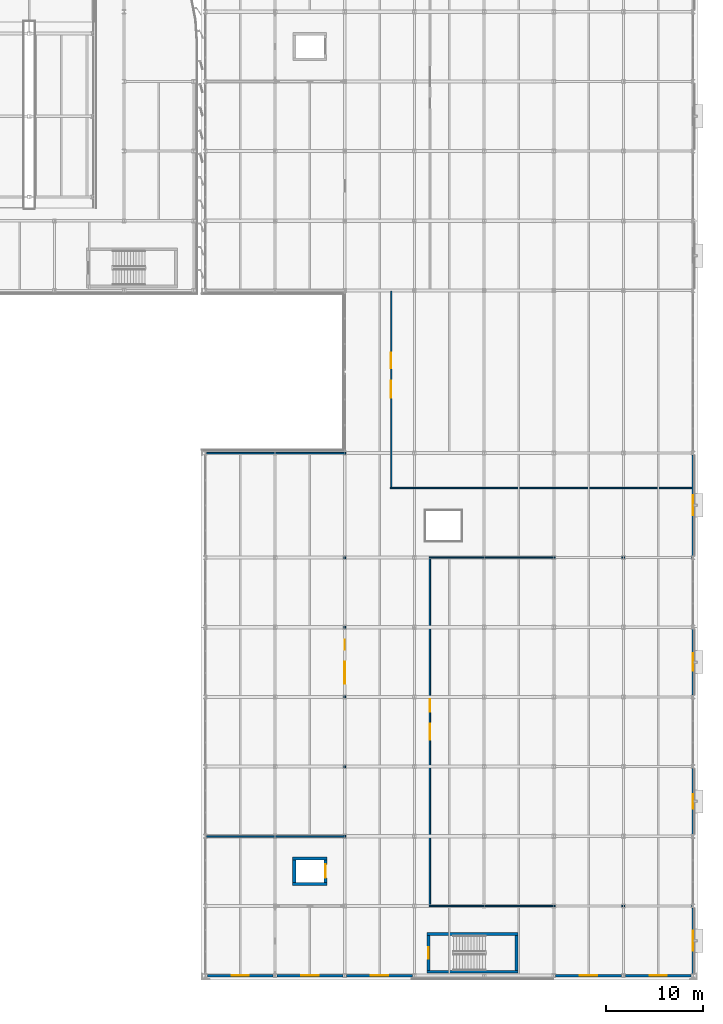
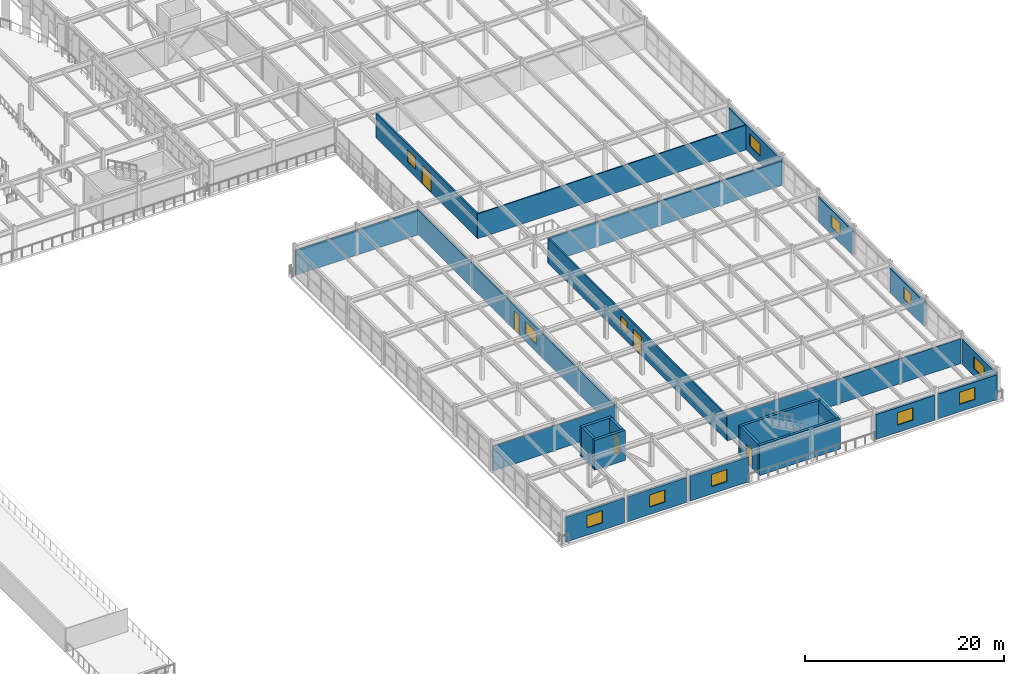
# One storey, part 67 of 93: 25 walls, 12 windows, 5 doors, 17 openings.
"""IFC4 building model written with IfcOpenShell, lengths in metres."""

from ifc_helpers import new_model, si_unit, direction, frame, frame_2d, origin, place, context, subcontext, project, spatial, rectangle, extrude, material, layer, layer_set, type_object, element, fill, save


model = new_model("IFC4")

# Units and contexts
model_context = context("Model", 3, precision=1e-05, world=origin(), true_north=direction((0.0, 1.0)))
body_context = subcontext(model_context, "Body", "Model", "MODEL_VIEW")
ifc_project = project(units=[si_unit("LENGTHUNIT", "METRE"), si_unit("AREAUNIT", "SQUARE_METRE"), si_unit("VOLUMEUNIT", "CUBIC_METRE"), si_unit("PLANEANGLEUNIT", "RADIAN"), si_unit("MASSUNIT", "GRAM", prefix="KILO")], contexts=[model_context])

# Site, building, storey
site_placement = place(None, origin())
site = spatial("IfcSite", under=ifc_project, at=site_placement, CompositionType="ELEMENT")
building_placement = place(site_placement, origin())
building = spatial("IfcBuilding", under=site, at=building_placement, Name="Vaelcorin Mobility Hub", CompositionType="ELEMENT")
storey_placement = place(building_placement, frame((0.0, 0.0, 5.39990234375)))
storey = spatial("IfcBuildingStorey", under=building, at=storey_placement, Name="L01", CompositionType="ELEMENT", Elevation=5.39990234375)

# Walls
ifc_material_1 = material(Name="Reinforced concrete f'c 45 MPa", Category="concrete")
ifc_layer_1 = layer(ifc_material_1, 0.300048828125)
ifc_layer_set_1 = layer_set([ifc_layer_1], Name="Reinforced concrete f'c 45 MPa")
wall_type_1 = type_object("IfcWallType", Name="WL-CORE-300", PredefinedType="SOLIDWALL", material=ifc_layer_set_1)
for number, where, z_axis, x_axis, name in (
    (1, (185.89990234375, 6.39990234375, 0.0), (0.0, 0.0, 1.0), (-1.0, 0.0, 0.0), "ST5 Fire Core Wall L01 South"),
    (2, (176.5, 10.300048828125, 0.0), (0.0, 0.0, 1.0), (1.0, 0.0, 0.0), "ST5 Fire Core Wall L01 North"),
):
    element("IfcWall", number, at=place(storey_placement, frame(where, z_axis=z_axis, x_axis=x_axis)), inside=storey, type_object=wall_type_1, Name=name, PredefinedType="SOLIDWALL", context=body_context, shape_type="SweptSolid", body=[
        extrude(rectangle(XDim=9.39990234375, YDim=0.300048828125, at=frame_2d((4.699951171875, 0.0))), origin(), (0.0, 0.0, 1.0), 3.670166015625),
    ])

# Wall, opening, door
wall_1_placement = place(storey_placement, frame((176.64990234375, 6.550048828125, 0.0), z_axis=(0.0, 0.0, 1.0), x_axis=(0.0, 1.0, 0.0)))
wall_1 = element("IfcWall", 3, at=wall_1_placement, inside=storey, type_object=wall_type_1, Name="ST5 Fire Core Wall L01 West", PredefinedType="SOLIDWALL", context=body_context, shape_type="SweptSolid", body=[
    extrude(rectangle(XDim=3.599853515625, YDim=0.300048828125, at=frame_2d((1.7998046875, 0.0))), origin(), (0.0, 0.0, 1.0), 3.670166015625),
])
opening_1_placement = place(wall_1_placement, frame((1.199951171875, 0.0, 0.0)))
opening_1 = element("IfcOpeningElement", 4, at=opening_1_placement, cuts=wall_1, Name="Opening SD01", PredefinedType="OPENING", context=body_context, shape_type="SweptSolid", body=[
    extrude(rectangle(XDim=1.199951171875, YDim=2.199951171875, at=frame_2d((0.60009765625, 1.10009765625))), frame((0.0, 0.159912109375, 0.0), z_axis=(0.0, -1.0, 0.0), x_axis=(1.0, 0.0, 0.0)), (0.0, 0.0, 1.0), 0.320068359375),
])
ifc_material_2 = material(Name="Hollow-metal insulated steel fire door", Category="steel")
door_type_1 = type_object("IfcDoorType", Name="DR-STAIR-90", OperationType="NOTDEFINED", PredefinedType="DOOR", material=ifc_material_2)
door_1_placement = place(opening_1_placement, origin())
door_1 = element("IfcDoor", 5, at=door_1_placement, inside=storey, type_object=door_type_1, Name="ST5 Protected Stair Door L01", OperationType="SINGLE_SWING_RIGHT", OverallHeight=2.199951171875, OverallWidth=1.199951171875, PredefinedType="DOOR", context=body_context, shape_type="SweptSolid", body=[
    extrude(rectangle(XDim=1.199951171875, YDim=2.199951171875, at=frame_2d((0.60009765625, 1.10009765625))), frame((0.0, 0.02490234375, 0.0), z_axis=(0.0, -1.0, 0.0), x_axis=(1.0, 0.0, 0.0)), (0.0, 0.0, 1.0), 0.050048828125),
])
fill(opening_1, door_1)

# Wall
wall_2_placement = place(storey_placement, frame((185.75, 10.14990234375, 0.0), z_axis=(0.0, 0.0, 1.0), x_axis=(0.0, -1.0, 0.0)))
element("IfcWall", 6, at=wall_2_placement, inside=storey, type_object=wall_type_1, Name="ST5 Fire Core Wall L01 East", PredefinedType="SOLIDWALL", context=body_context, shape_type="SweptSolid", body=[
    extrude(rectangle(XDim=3.599853515625, YDim=0.300048828125, at=frame_2d((1.7998046875, 0.0))), origin(), (0.0, 0.0, 1.0), 3.670166015625),
])

# Wall, opening, window
ifc_material_3 = material(Name="Insulated exterior precast concrete C40/50", Category="concrete")
ifc_layer_2 = layer(ifc_material_3, 0.260009765625)
ifc_layer_set_2 = layer_set([ifc_layer_2], Name="Insulated exterior precast concrete C40/50")
wall_type_2 = type_object("IfcWallType", Name="WL-EXT-260", PredefinedType="STANDARD", material=ifc_layer_set_2)
wall_3_placement = place(storey_placement, frame((204.0, 13.011962890625, 0.0), z_axis=(0.0, 0.0, 1.0), x_axis=(0.0, -1.0, 0.0)))
wall_3 = element("IfcWall", 7, at=wall_3_placement, inside=storey, type_object=wall_type_2, Name="L01 Exterior Wall V5-EW-L01-E-01", PredefinedType="STANDARD", context=body_context, shape_type="SweptSolid", body=[
    extrude(rectangle(XDim=6.823974609375, YDim=0.260009765625, at=frame_2d((3.412109375, 0.0))), origin(), (0.0, 0.0, 1.0), 3.043212890625),
])
opening_2_placement = place(wall_3_placement, frame((2.362060546875, 0.0, 0.89990234375)))
opening_2 = element("IfcOpeningElement", 8, at=opening_2_placement, cuts=wall_3, Name="Opening WN19", PredefinedType="OPENING", context=body_context, shape_type="SweptSolid", body=[
    extrude(rectangle(XDim=2.10009765625, YDim=1.5, at=frame_2d((1.050048828125, 0.75))), frame((0.0, 0.139892578125, 0.0), z_axis=(0.0, -1.0, 0.0), x_axis=(1.0, 0.0, 0.0)), (0.0, 0.0, 1.0), 0.280029296875),
])
ifc_material_4 = material(Name="Double-glazed low-E window unit", Category="glass")
window_type_1 = type_object("IfcWindowType", Name="WIN-2100X1500", PartitioningType="SINGLE_PANEL", PredefinedType="WINDOW", material=ifc_material_4)
window_1_placement = place(opening_2_placement, origin())
window_1 = element("IfcWindow", 9, at=window_1_placement, inside=storey, type_object=window_type_1, Name="L01 Window V5-EW-L01-E-01-WN", OverallHeight=1.5, OverallWidth=2.10009765625, PartitioningType="SINGLE_PANEL", PredefinedType="WINDOW", context=body_context, shape_type="SweptSolid", body=[
    extrude(rectangle(XDim=2.10009765625, YDim=1.5, at=frame_2d((1.050048828125, 0.75))), frame((0.0, 0.030029296875, 0.0), z_axis=(0.0, -1.0, 0.0), x_axis=(1.0, 0.0, 0.0)), (0.0, 0.0, 1.0), 0.06005859375),
])
fill(opening_2, window_1)

wall_4_placement = place(storey_placement, frame((204.0, 27.412109375, 0.0), z_axis=(0.0, 0.0, 1.0), x_axis=(0.0, -1.0, 0.0)))
wall_4 = element("IfcWall", 10, at=wall_4_placement, inside=storey, type_object=wall_type_2, Name="L01 Exterior Wall V5-EW-L01-E-03", PredefinedType="STANDARD", context=body_context, shape_type="SweptSolid", body=[
    extrude(rectangle(XDim=6.82421875, YDim=0.260009765625, at=frame_2d((3.412109375, 0.0))), origin(), (0.0, 0.0, 1.0), 3.043212890625),
])
opening_3_placement = place(wall_4_placement, frame((2.662109375, 0.0, 0.89990234375)))
opening_3 = element("IfcOpeningElement", 11, at=opening_3_placement, cuts=wall_4, Name="Opening WN13", PredefinedType="OPENING", context=body_context, shape_type="SweptSolid", body=[
    extrude(rectangle(XDim=1.5, YDim=1.5, at=frame_2d((0.75, 0.75))), frame((0.0, 0.139892578125, 0.0), z_axis=(0.0, -1.0, 0.0), x_axis=(1.0, 0.0, 0.0)), (0.0, 0.0, 1.0), 0.280029296875),
])
window_type_2 = type_object("IfcWindowType", Name="WIN-1500X1500", PartitioningType="SINGLE_PANEL", PredefinedType="WINDOW", material=ifc_material_4)
window_2_placement = place(opening_3_placement, origin())
window_2 = element("IfcWindow", 12, at=window_2_placement, inside=storey, type_object=window_type_2, Name="L01 Window V5-EW-L01-E-03-WN", OverallHeight=1.5, OverallWidth=1.5, PartitioningType="SINGLE_PANEL", PredefinedType="WINDOW", context=body_context, shape_type="SweptSolid", body=[
    extrude(rectangle(XDim=1.5, YDim=1.5, at=frame_2d((0.75, 0.75))), frame((0.0, 0.030029296875, 0.0), z_axis=(0.0, -1.0, 0.0), x_axis=(1.0, 0.0, 0.0)), (0.0, 0.0, 1.0), 0.06005859375),
])
fill(opening_3, window_2)

wall_5_placement = place(storey_placement, frame((204.0, 41.81201171875, 0.0), z_axis=(0.0, 0.0, 1.0), x_axis=(0.0, -1.0, 0.0)))
wall_5 = element("IfcWall", 13, at=wall_5_placement, inside=storey, type_object=wall_type_2, Name="L01 Exterior Wall V5-EW-L01-E-05", PredefinedType="STANDARD", context=body_context, shape_type="SweptSolid", body=[
    extrude(rectangle(XDim=6.823974609375, YDim=0.260009765625, at=frame_2d((3.412109375, 0.0))), origin(), (0.0, 0.0, 1.0), 3.043212890625),
])
opening_4_placement = place(wall_5_placement, frame((2.511962890625, 0.0, 0.89990234375)))
opening_4 = element("IfcOpeningElement", 14, at=opening_4_placement, cuts=wall_5, Name="Opening WN12", PredefinedType="OPENING", context=body_context, shape_type="SweptSolid", body=[
    extrude(rectangle(XDim=1.800048828125, YDim=1.5, at=frame_2d((0.89990234375, 0.75))), frame((0.0, 0.139892578125, 0.0), z_axis=(0.0, -1.0, 0.0), x_axis=(1.0, 0.0, 0.0)), (0.0, 0.0, 1.0), 0.280029296875),
])
window_type_3 = type_object("IfcWindowType", Name="WIN-1800X1500", PartitioningType="SINGLE_PANEL", PredefinedType="WINDOW", material=ifc_material_4)
window_3_placement = place(opening_4_placement, origin())
window_3 = element("IfcWindow", 15, at=window_3_placement, inside=storey, type_object=window_type_3, Name="L01 Window V5-EW-L01-E-05-WN", OverallHeight=1.5, OverallWidth=1.800048828125, PartitioningType="SINGLE_PANEL", PredefinedType="WINDOW", context=body_context, shape_type="SweptSolid", body=[
    extrude(rectangle(XDim=1.800048828125, YDim=1.5, at=frame_2d((0.89990234375, 0.75))), frame((0.0, 0.030029296875, 0.0), z_axis=(0.0, -1.0, 0.0), x_axis=(1.0, 0.0, 0.0)), (0.0, 0.0, 1.0), 0.06005859375),
])
fill(opening_4, window_3)

wall_6_placement = place(storey_placement, frame((204.0, 59.81201171875, 0.0), z_axis=(0.0, 0.0, 1.0), x_axis=(0.0, -1.0, 0.0)))
wall_6 = element("IfcWall", 16, at=wall_6_placement, inside=storey, type_object=wall_type_2, Name="L01 Exterior Wall V5-EW-L01-E-07", PredefinedType="STANDARD", context=body_context, shape_type="SweptSolid", body=[
    extrude(rectangle(XDim=10.424072265625, YDim=0.260009765625, at=frame_2d((5.2119140625, 0.0))), origin(), (0.0, 0.0, 1.0), 3.043212890625),
])
opening_5_placement = place(wall_6_placement, frame((4.162109375, 0.0, 0.89990234375)))
opening_5 = element("IfcOpeningElement", 17, at=opening_5_placement, cuts=wall_6, Name="Opening WN19", PredefinedType="OPENING", context=body_context, shape_type="SweptSolid", body=[
    extrude(rectangle(XDim=2.10009765625, YDim=1.5, at=frame_2d((1.050048828125, 0.75))), frame((0.0, 0.139892578125, 0.0), z_axis=(0.0, -1.0, 0.0), x_axis=(1.0, 0.0, 0.0)), (0.0, 0.0, 1.0), 0.280029296875),
])
window_4_placement = place(opening_5_placement, origin())
window_4 = element("IfcWindow", 18, at=window_4_placement, inside=storey, type_object=window_type_1, Name="L01 Window V5-EW-L01-E-07-WN", OverallHeight=1.5, OverallWidth=2.10009765625, PartitioningType="SINGLE_PANEL", PredefinedType="WINDOW", context=body_context, shape_type="SweptSolid", body=[
    extrude(rectangle(XDim=2.10009765625, YDim=1.5, at=frame_2d((1.050048828125, 0.75))), frame((0.0, 0.030029296875, 0.0), z_axis=(0.0, -1.0, 0.0), x_axis=(1.0, 0.0, 0.0)), (0.0, 0.0, 1.0), 0.06005859375),
])
fill(opening_5, window_4)

wall_7_placement = place(storey_placement, frame((160.60595703125, 6.0, 0.0), z_axis=(0.0, 0.0, 1.0), x_axis=(-1.0, 0.0, 0.0)))
wall_7 = element("IfcWall", 19, at=wall_7_placement, inside=storey, type_object=wall_type_2, Name="L01 Exterior Wall V5-EW-L01-S-01", PredefinedType="STANDARD", context=body_context, shape_type="SweptSolid", body=[
    extrude(rectangle(XDim=6.81201171875, YDim=0.260009765625, at=frame_2d((3.406005859375, 0.0))), origin(), (0.0, 0.0, 1.0), 3.043212890625),
])
opening_6_placement = place(wall_7_placement, frame((2.506103515625, 0.0, 0.89990234375)))
opening_6 = element("IfcOpeningElement", 20, at=opening_6_placement, cuts=wall_7, Name="Opening WN12", PredefinedType="OPENING", context=body_context, shape_type="SweptSolid", body=[
    extrude(rectangle(XDim=1.800048828125, YDim=1.5, at=frame_2d((0.89990234375, 0.75))), frame((0.0, 0.139892578125, 0.0), z_axis=(0.0, -1.0, 0.0), x_axis=(1.0, 0.0, 0.0)), (0.0, 0.0, 1.0), 0.280029296875),
])
window_5_placement = place(opening_6_placement, origin())
window_5 = element("IfcWindow", 21, at=window_5_placement, inside=storey, type_object=window_type_3, Name="L01 Window V5-EW-L01-S-01-WN", OverallHeight=1.5, OverallWidth=1.800048828125, PartitioningType="SINGLE_PANEL", PredefinedType="WINDOW", context=body_context, shape_type="SweptSolid", body=[
    extrude(rectangle(XDim=1.800048828125, YDim=1.5, at=frame_2d((0.89990234375, 0.75))), frame((0.0, 0.030029296875, 0.0), z_axis=(0.0, -1.0, 0.0), x_axis=(1.0, 0.0, 0.0)), (0.0, 0.0, 1.0), 0.06005859375),
])
fill(opening_6, window_5)

wall_8_placement = place(storey_placement, frame((167.805908203125, 6.0, 0.0), z_axis=(0.0, 0.0, 1.0), x_axis=(-1.0, 0.0, 0.0)))
wall_8 = element("IfcWall", 22, at=wall_8_placement, inside=storey, type_object=wall_type_2, Name="L01 Exterior Wall V5-EW-L01-S-02", PredefinedType="STANDARD", context=body_context, shape_type="SweptSolid", body=[
    extrude(rectangle(XDim=6.81201171875, YDim=0.260009765625, at=frame_2d((3.406005859375, 0.0))), origin(), (0.0, 0.0, 1.0), 3.043212890625),
])
opening_7_placement = place(wall_8_placement, frame((2.506103515625, 0.0, 0.89990234375)))
opening_7 = element("IfcOpeningElement", 23, at=opening_7_placement, cuts=wall_8, Name="Opening WN12", PredefinedType="OPENING", context=body_context, shape_type="SweptSolid", body=[
    extrude(rectangle(XDim=1.800048828125, YDim=1.5, at=frame_2d((0.89990234375, 0.75))), frame((0.0, 0.139892578125, 0.0), z_axis=(0.0, -1.0, 0.0), x_axis=(1.0, 0.0, 0.0)), (0.0, 0.0, 1.0), 0.280029296875),
])
window_6_placement = place(opening_7_placement, origin())
window_6 = element("IfcWindow", 24, at=window_6_placement, inside=storey, type_object=window_type_3, Name="L01 Window V5-EW-L01-S-02-WN", OverallHeight=1.5, OverallWidth=1.800048828125, PartitioningType="SINGLE_PANEL", PredefinedType="WINDOW", context=body_context, shape_type="SweptSolid", body=[
    extrude(rectangle(XDim=1.800048828125, YDim=1.5, at=frame_2d((0.89990234375, 0.75))), frame((0.0, 0.030029296875, 0.0), z_axis=(0.0, -1.0, 0.0), x_axis=(1.0, 0.0, 0.0)), (0.0, 0.0, 1.0), 0.06005859375),
])
fill(opening_7, window_6)

wall_9_placement = place(storey_placement, frame((175.006103515625, 6.0, 0.0), z_axis=(0.0, 0.0, 1.0), x_axis=(-1.0, 0.0, 0.0)))
wall_9 = element("IfcWall", 25, at=wall_9_placement, inside=storey, type_object=wall_type_2, Name="L01 Exterior Wall V5-EW-L01-S-03", PredefinedType="STANDARD", context=body_context, shape_type="SweptSolid", body=[
    extrude(rectangle(XDim=6.81201171875, YDim=0.260009765625, at=frame_2d((3.406005859375, 0.0))), origin(), (0.0, 0.0, 1.0), 3.043212890625),
])
opening_8_placement = place(wall_9_placement, frame((2.506103515625, 0.0, 0.89990234375)))
opening_8 = element("IfcOpeningElement", 26, at=opening_8_placement, cuts=wall_9, Name="Opening WN12", PredefinedType="OPENING", context=body_context, shape_type="SweptSolid", body=[
    extrude(rectangle(XDim=1.800048828125, YDim=1.5, at=frame_2d((0.89990234375, 0.75))), frame((0.0, 0.139892578125, 0.0), z_axis=(0.0, -1.0, 0.0), x_axis=(1.0, 0.0, 0.0)), (0.0, 0.0, 1.0), 0.280029296875),
])
window_7_placement = place(opening_8_placement, origin())
window_7 = element("IfcWindow", 27, at=window_7_placement, inside=storey, type_object=window_type_3, Name="L01 Window V5-EW-L01-S-03-WN", OverallHeight=1.5, OverallWidth=1.800048828125, PartitioningType="SINGLE_PANEL", PredefinedType="WINDOW", context=body_context, shape_type="SweptSolid", body=[
    extrude(rectangle(XDim=1.800048828125, YDim=1.5, at=frame_2d((0.89990234375, 0.75))), frame((0.0, 0.030029296875, 0.0), z_axis=(0.0, -1.0, 0.0), x_axis=(1.0, 0.0, 0.0)), (0.0, 0.0, 1.0), 0.06005859375),
])
fill(opening_8, window_7)

wall_10_placement = place(storey_placement, frame((196.60595703125, 6.0, 0.0), z_axis=(0.0, 0.0, 1.0), x_axis=(-1.0, 0.0, 0.0)))
wall_10 = element("IfcWall", 28, at=wall_10_placement, inside=storey, type_object=wall_type_2, Name="L01 Exterior Wall V5-EW-L01-S-06", PredefinedType="STANDARD", context=body_context, shape_type="SweptSolid", body=[
    extrude(rectangle(XDim=6.81201171875, YDim=0.260009765625, at=frame_2d((3.406005859375, 0.0))), origin(), (0.0, 0.0, 1.0), 3.043212890625),
])
opening_9_placement = place(wall_10_placement, frame((2.506103515625, 0.0, 0.89990234375)))
opening_9 = element("IfcOpeningElement", 29, at=opening_9_placement, cuts=wall_10, Name="Opening WN12", PredefinedType="OPENING", context=body_context, shape_type="SweptSolid", body=[
    extrude(rectangle(XDim=1.800048828125, YDim=1.5, at=frame_2d((0.89990234375, 0.75))), frame((0.0, 0.139892578125, 0.0), z_axis=(0.0, -1.0, 0.0), x_axis=(1.0, 0.0, 0.0)), (0.0, 0.0, 1.0), 0.280029296875),
])
window_8_placement = place(opening_9_placement, origin())
window_8 = element("IfcWindow", 30, at=window_8_placement, inside=storey, type_object=window_type_3, Name="L01 Window V5-EW-L01-S-06-WN", OverallHeight=1.5, OverallWidth=1.800048828125, PartitioningType="SINGLE_PANEL", PredefinedType="WINDOW", context=body_context, shape_type="SweptSolid", body=[
    extrude(rectangle(XDim=1.800048828125, YDim=1.5, at=frame_2d((0.89990234375, 0.75))), frame((0.0, 0.030029296875, 0.0), z_axis=(0.0, -1.0, 0.0), x_axis=(1.0, 0.0, 0.0)), (0.0, 0.0, 1.0), 0.06005859375),
])
fill(opening_9, window_8)

wall_11_placement = place(storey_placement, frame((203.805908203125, 6.0, 0.0), z_axis=(0.0, 0.0, 1.0), x_axis=(-1.0, 0.0, 0.0)))
wall_11 = element("IfcWall", 31, at=wall_11_placement, inside=storey, type_object=wall_type_2, Name="L01 Exterior Wall V5-EW-L01-S-07", PredefinedType="STANDARD", context=body_context, shape_type="SweptSolid", body=[
    extrude(rectangle(XDim=6.81201171875, YDim=0.260009765625, at=frame_2d((3.406005859375, 0.0))), origin(), (0.0, 0.0, 1.0), 3.043212890625),
])
opening_10_placement = place(wall_11_placement, frame((2.506103515625, 0.0, 0.89990234375)))
opening_10 = element("IfcOpeningElement", 32, at=opening_10_placement, cuts=wall_11, Name="Opening WN12", PredefinedType="OPENING", context=body_context, shape_type="SweptSolid", body=[
    extrude(rectangle(XDim=1.800048828125, YDim=1.5, at=frame_2d((0.89990234375, 0.75))), frame((0.0, 0.139892578125, 0.0), z_axis=(0.0, -1.0, 0.0), x_axis=(1.0, 0.0, 0.0)), (0.0, 0.0, 1.0), 0.280029296875),
])
window_9_placement = place(opening_10_placement, origin())
window_9 = element("IfcWindow", 33, at=window_9_placement, inside=storey, type_object=window_type_3, Name="L01 Window V5-EW-L01-S-07-WN", OverallHeight=1.5, OverallWidth=1.800048828125, PartitioningType="SINGLE_PANEL", PredefinedType="WINDOW", context=body_context, shape_type="SweptSolid", body=[
    extrude(rectangle(XDim=1.800048828125, YDim=1.5, at=frame_2d((0.89990234375, 0.75))), frame((0.0, 0.030029296875, 0.0), z_axis=(0.0, -1.0, 0.0), x_axis=(1.0, 0.0, 0.0)), (0.0, 0.0, 1.0), 0.06005859375),
])
fill(opening_10, window_9)

# Walls
ifc_material_5 = material(Name="Fire-rated acoustic steel-stud gypsum board", Category="steel")
ifc_layer_3 = layer(ifc_material_5, 0.125)
ifc_layer_set_3 = layer_set([ifc_layer_3], Name="Fire-rated acoustic steel-stud gypsum board")
wall_type_3 = type_object("IfcWallType", Name="WL-PART-125", PredefinedType="PARTITIONING", material=ifc_layer_set_3)
wall_12_placement = place(storey_placement, frame((203.867919921875, 13.199951171875, 0.0), z_axis=(0.0, 0.0, 1.0), x_axis=(-1.0, 0.0, 0.0)))
element("IfcWall", 34, at=wall_12_placement, inside=storey, type_object=wall_type_3, Name="Hub Operations Office Partition South", PredefinedType="PARTITIONING", context=body_context, shape_type="SweptSolid", body=[
    extrude(rectangle(XDim=27.14794921875, YDim=0.125, at=frame_2d((13.573974609375, 0.0))), origin(), (0.0, 0.0, 1.0), 3.0380859375),
])
ifc_layer_4 = layer(ifc_material_5, 0.1298828125)
ifc_layer_set_4 = layer_set([ifc_layer_4], Name="Fire-rated acoustic steel-stud gypsum board")
wall_type_4 = type_object("IfcWallType", Name="WL-PART-130", PredefinedType="PARTITIONING", material=ifc_layer_set_4)
wall_13_placement = place(storey_placement, frame((176.719970703125, 49.199951171875, 0.0), z_axis=(0.0, 0.0, 1.0), x_axis=(1.0, 0.0, 0.0)))
element("IfcWall", 35, at=wall_13_placement, inside=storey, type_object=wall_type_4, Name="Hub Operations Office Partition North", PredefinedType="PARTITIONING", context=body_context, shape_type="SweptSolid", body=[
    extrude(rectangle(XDim=27.14794921875, YDim=0.1298828125, at=frame_2d((13.573974609375, 0.0))), origin(), (0.0, 0.0, 1.0), 3.0380859375),
])
ifc_layer_5 = layer(ifc_material_5, 0.135009765625)
ifc_layer_set_5 = layer_set([ifc_layer_5], Name="Fire-rated acoustic steel-stud gypsum board")
wall_type_5 = type_object("IfcWallType", Name="WL-PART-135", PredefinedType="PARTITIONING", material=ifc_layer_set_5)
wall_14_placement = place(storey_placement, frame((203.867919921875, 56.39990234375, 0.0), z_axis=(0.0, 0.0, 1.0), x_axis=(-1.0, 0.0, 0.0)))
element("IfcWall", 36, at=wall_14_placement, inside=storey, type_object=wall_type_5, Name="Bus Operator Rest and Canteen Partition South", PredefinedType="PARTITIONING", context=body_context, shape_type="SweptSolid", body=[
    extrude(rectangle(XDim=31.14794921875, YDim=0.135009765625, at=frame_2d((15.573974609375, 0.0))), origin(), (0.0, 0.0, 1.0), 3.0380859375),
])
ifc_layer_6 = layer(ifc_material_5, 0.14990234375)
ifc_layer_set_6 = layer_set([ifc_layer_6], Name="Fire-rated acoustic steel-stud gypsum board")
wall_type_6 = type_object("IfcWallType", Name="WL-PART-150", PredefinedType="PARTITIONING", material=ifc_layer_set_6)
wall_15_placement = place(storey_placement, frame((168.080078125, 20.39990234375, 0.0), z_axis=(0.0, 0.0, 1.0), x_axis=(-1.0, 0.0, 0.0)))
element("IfcWall", 37, at=wall_15_placement, inside=storey, type_object=wall_type_6, Name="Transit Staff Training Room Partition South", PredefinedType="PARTITIONING", context=body_context, shape_type="SweptSolid", body=[
    extrude(rectangle(XDim=14.34814453125, YDim=0.14990234375, at=frame_2d((7.174072265625, 0.0))), origin(), (0.0, 0.0, 1.0), 3.0380859375),
])
ifc_layer_7 = layer(ifc_material_5, 0.155029296875)
ifc_layer_set_7 = layer_set([ifc_layer_7], Name="Fire-rated acoustic steel-stud gypsum board")
wall_type_7 = type_object("IfcWallType", Name="WL-PART-155", PredefinedType="PARTITIONING", material=ifc_layer_set_7)
wall_16_placement = place(storey_placement, frame((153.73193359375, 60.0, 0.0), z_axis=(0.0, 0.0, 1.0), x_axis=(1.0, 0.0, 0.0)))
element("IfcWall", 38, at=wall_16_placement, inside=storey, type_object=wall_type_7, Name="Transit Staff Training Room Partition North", PredefinedType="PARTITIONING", context=body_context, shape_type="SweptSolid", body=[
    extrude(rectangle(XDim=14.34814453125, YDim=0.155029296875, at=frame_2d((7.174072265625, 0.0))), origin(), (0.0, 0.0, 1.0), 3.0380859375),
])

# Wall, openings, door, window
ifc_layer_8 = layer(ifc_material_5, 0.169921875)
ifc_layer_set_8 = layer_set([ifc_layer_8], Name="Fire-rated acoustic steel-stud gypsum board")
wall_type_8 = type_object("IfcWallType", Name="WL-PART-170", PredefinedType="PARTITIONING", material=ifc_layer_set_8)
wall_17_placement = place(storey_placement, frame((176.800048828125, 13.263916015625, 0.0), z_axis=(0.0, 0.0, 1.0), x_axis=(0.0, 1.0, 0.0)))
wall_17 = element("IfcWall", 39, at=wall_17_placement, inside=storey, type_object=wall_type_8, Name="Hub Operations Office Partition West", PredefinedType="PARTITIONING", context=body_context, shape_type="SweptSolid", body=[
    extrude(rectangle(XDim=35.869140625, YDim=0.169921875, at=frame_2d((17.9345703125, 0.0))), origin(), (0.0, 0.0, 1.0), 3.0380859375),
])
opening_11_placement = place(wall_17_placement, frame((17.10400390625, 0.0, 0.0)))
opening_11 = element("IfcOpeningElement", 40, at=opening_11_placement, cuts=wall_17, Name="Opening ID41", PredefinedType="OPENING", context=body_context, shape_type="SweptSolid", body=[
    extrude(rectangle(XDim=1.659912109375, YDim=2.280029296875, at=frame_2d((0.830078125, 1.14013671875))), frame((0.0, 0.094970703125, 0.0), z_axis=(0.0, -1.0, 0.0), x_axis=(1.0, 0.0, 0.0)), (0.0, 0.0, 1.0), 0.18994140625),
])
opening_12_placement = place(wall_17_placement, frame((20.013916015625, 0.0, 0.949951171875)))
opening_12 = element("IfcOpeningElement", 41, at=opening_12_placement, cuts=wall_17, Name="Opening IW-WN13", PredefinedType="OPENING", context=body_context, shape_type="SweptSolid", body=[
    extrude(rectangle(XDim=1.300048828125, YDim=1.449951171875, at=frame_2d((0.64990234375, 0.72509765625))), frame((0.0, 0.094970703125, 0.0), z_axis=(0.0, -1.0, 0.0), x_axis=(1.0, 0.0, 0.0)), (0.0, 0.0, 1.0), 0.18994140625),
])
door_type_2 = type_object("IfcDoorType", Name="DR-INT-41", OperationType="NOTDEFINED", PredefinedType="DOOR", material=ifc_material_2)
door_2_placement = place(opening_11_placement, origin())
door_2 = element("IfcDoor", 42, at=door_2_placement, inside=storey, type_object=door_type_2, Name="Hub Operations Office Door", OperationType="SINGLE_SWING_LEFT", OverallHeight=2.280029296875, OverallWidth=1.659912109375, PredefinedType="DOOR", context=body_context, shape_type="SweptSolid", body=[
    extrude(rectangle(XDim=1.659912109375, YDim=2.280029296875, at=frame_2d((0.830078125, 1.14013671875))), frame((0.0, 0.02490234375, 0.0), z_axis=(0.0, -1.0, 0.0), x_axis=(1.0, 0.0, 0.0)), (0.0, 0.0, 1.0), 0.050048828125),
])
fill(opening_11, door_2)
ifc_material_6 = material(Name="Acoustic laminated fire-rated interior glazing", Category="glass")
window_type_4 = type_object("IfcWindowType", Name="WIN-INT-13", PartitioningType="SINGLE_PANEL", PredefinedType="WINDOW", material=ifc_material_6)
window_10_placement = place(opening_12_placement, origin())
window_10 = element("IfcWindow", 43, at=window_10_placement, inside=storey, type_object=window_type_4, Name="Hub Operations Office Observation Glazing", OverallHeight=1.449951171875, OverallWidth=1.300048828125, PartitioningType="SINGLE_PANEL", PredefinedType="WINDOW", context=body_context, shape_type="SweptSolid", body=[
    extrude(rectangle(XDim=1.300048828125, YDim=1.449951171875, at=frame_2d((0.64990234375, 0.72509765625))), frame((0.0, 0.030029296875, 0.0), z_axis=(0.0, -1.0, 0.0), x_axis=(1.0, 0.0, 0.0)), (0.0, 0.0, 1.0), 0.06005859375),
])
fill(opening_12, window_10)

ifc_layer_9 = layer(ifc_material_5, 0.177978515625)
ifc_layer_set_9 = layer_set([ifc_layer_9], Name="Fire-rated acoustic steel-stud gypsum board")
wall_type_9 = type_object("IfcWallType", Name="WL-PART-178", PredefinedType="PARTITIONING", material=ifc_layer_set_9)
wall_18_placement = place(storey_placement, frame((172.800048828125, 56.469970703125, 0.0), z_axis=(0.0, 0.0, 1.0), x_axis=(0.0, 1.0, 0.0)))
wall_18 = element("IfcWall", 44, at=wall_18_placement, inside=storey, type_object=wall_type_9, Name="Bus Operator Rest and Canteen Partition West", PredefinedType="PARTITIONING", context=body_context, shape_type="SweptSolid", body=[
    extrude(rectangle(XDim=20.258056640625, YDim=0.177978515625, at=frame_2d((10.12890625, 0.0))), origin(), (0.0, 0.0, 1.0), 3.0380859375),
])
opening_13_placement = place(wall_18_placement, frame((9.22900390625, 0.0, 0.0)))
opening_13 = element("IfcOpeningElement", 45, at=opening_13_placement, cuts=wall_18, Name="Opening ID42", PredefinedType="OPENING", context=body_context, shape_type="SweptSolid", body=[
    extrude(rectangle(XDim=1.800048828125, YDim=2.280029296875, at=frame_2d((0.89990234375, 1.14013671875))), frame((0.0, 0.098876953125, 0.0), z_axis=(0.0, -1.0, 0.0), x_axis=(1.0, 0.0, 0.0)), (0.0, 0.0, 1.0), 0.197998046875),
])
opening_14_placement = place(wall_18_placement, frame((12.279052734375, 0.0, 0.949951171875)))
opening_14 = element("IfcOpeningElement", 46, at=opening_14_placement, cuts=wall_18, Name="Opening IW-WN14", PredefinedType="OPENING", context=body_context, shape_type="SweptSolid", body=[
    extrude(rectangle(XDim=1.60009765625, YDim=1.449951171875, at=frame_2d((0.800048828125, 0.72509765625))), frame((0.0, 0.098876953125, 0.0), z_axis=(0.0, -1.0, 0.0), x_axis=(1.0, 0.0, 0.0)), (0.0, 0.0, 1.0), 0.197998046875),
])
door_type_3 = type_object("IfcDoorType", Name="DR-INT-42", OperationType="NOTDEFINED", PredefinedType="DOOR", material=ifc_material_2)
door_3_placement = place(opening_13_placement, origin())
door_3 = element("IfcDoor", 47, at=door_3_placement, inside=storey, type_object=door_type_3, Name="Bus Operator Rest and Canteen Door", OperationType="SINGLE_SWING_RIGHT", OverallHeight=2.280029296875, OverallWidth=1.800048828125, PredefinedType="DOOR", context=body_context, shape_type="SweptSolid", body=[
    extrude(rectangle(XDim=1.800048828125, YDim=2.280029296875, at=frame_2d((0.89990234375, 1.14013671875))), frame((0.0, 0.02490234375, 0.0), z_axis=(0.0, -1.0, 0.0), x_axis=(1.0, 0.0, 0.0)), (0.0, 0.0, 1.0), 0.050048828125),
])
fill(opening_13, door_3)
window_type_5 = type_object("IfcWindowType", Name="WIN-INT-14", PartitioningType="SINGLE_PANEL", PredefinedType="WINDOW", material=ifc_material_6)
window_11_placement = place(opening_14_placement, origin())
window_11 = element("IfcWindow", 48, at=window_11_placement, inside=storey, type_object=window_type_5, Name="Bus Operator Rest and Canteen Observation Glazing", OverallHeight=1.449951171875, OverallWidth=1.60009765625, PartitioningType="SINGLE_PANEL", PredefinedType="WINDOW", context=body_context, shape_type="SweptSolid", body=[
    extrude(rectangle(XDim=1.60009765625, YDim=1.449951171875, at=frame_2d((0.800048828125, 0.72509765625))), frame((0.0, 0.030029296875, 0.0), z_axis=(0.0, -1.0, 0.0), x_axis=(1.0, 0.0, 0.0)), (0.0, 0.0, 1.0), 0.06005859375),
])
fill(opening_14, window_11)

ifc_layer_10 = layer(ifc_material_5, 0.19189453125)
ifc_layer_set_10 = layer_set([ifc_layer_10], Name="Fire-rated acoustic steel-stud gypsum board")
wall_type_10 = type_object("IfcWallType", Name="WL-PART-192", PredefinedType="PARTITIONING", material=ifc_layer_set_10)
wall_19_placement = place(storey_placement, frame((168.0, 59.919921875, 0.0), z_axis=(0.0, 0.0, 1.0), x_axis=(0.0, -1.0, 0.0)))
wall_19 = element("IfcWall", 49, at=wall_19_placement, inside=storey, type_object=wall_type_10, Name="Transit Staff Training Room Partition East", PredefinedType="PARTITIONING", context=body_context, shape_type="SweptSolid", body=[
    extrude(rectangle(XDim=39.44287109375, YDim=0.19189453125, at=frame_2d((19.721435546875, 0.0))), origin(), (0.0, 0.0, 1.0), 3.0380859375),
])
opening_15_placement = place(wall_19_placement, frame((19.196044921875, 0.0, 0.0)))
opening_15 = element("IfcOpeningElement", 50, at=opening_15_placement, cuts=wall_19, Name="Opening ID44", PredefinedType="OPENING", context=body_context, shape_type="SweptSolid", body=[
    extrude(rectangle(XDim=1.050048828125, YDim=2.340087890625, at=frame_2d((0.52490234375, 1.169921875))), frame((0.0, 0.10595703125, 0.0), z_axis=(0.0, -1.0, 0.0), x_axis=(1.0, 0.0, 0.0)), (0.0, 0.0, 1.0), 0.2119140625),
])
opening_16_placement = place(wall_19_placement, frame((21.49609375, 0.0, 0.949951171875)))
opening_16 = element("IfcOpeningElement", 51, at=opening_16_placement, cuts=wall_19, Name="Opening IW-WN16", PredefinedType="OPENING", context=body_context, shape_type="SweptSolid", body=[
    extrude(rectangle(XDim=2.25, YDim=1.449951171875, at=frame_2d((1.125, 0.72509765625))), frame((0.0, 0.10595703125, 0.0), z_axis=(0.0, -1.0, 0.0), x_axis=(1.0, 0.0, 0.0)), (0.0, 0.0, 1.0), 0.2119140625),
])
ifc_material_7 = material(Name="Solid-core hardwood fire door assembly", Category="wood")
door_type_4 = type_object("IfcDoorType", Name="DR-INT-44", OperationType="NOTDEFINED", PredefinedType="DOOR", material=ifc_material_7)
door_4_placement = place(opening_15_placement, origin())
door_4 = element("IfcDoor", 52, at=door_4_placement, inside=storey, type_object=door_type_4, Name="Transit Staff Training Room Door", OperationType="SINGLE_SWING_RIGHT", OverallHeight=2.340087890625, OverallWidth=1.050048828125, PredefinedType="DOOR", context=body_context, shape_type="SweptSolid", body=[
    extrude(rectangle(XDim=1.050048828125, YDim=2.340087890625, at=frame_2d((0.52490234375, 1.169921875))), frame((0.0, 0.02490234375, 0.0), z_axis=(0.0, -1.0, 0.0), x_axis=(1.0, 0.0, 0.0)), (0.0, 0.0, 1.0), 0.050048828125),
])
fill(opening_15, door_4)
window_type_6 = type_object("IfcWindowType", Name="WIN-INT-16", PartitioningType="SINGLE_PANEL", PredefinedType="WINDOW", material=ifc_material_6)
window_12_placement = place(opening_16_placement, origin())
window_12 = element("IfcWindow", 53, at=window_12_placement, inside=storey, type_object=window_type_6, Name="Transit Staff Training Room Observation Glazing", OverallHeight=1.449951171875, OverallWidth=2.25, PartitioningType="SINGLE_PANEL", PredefinedType="WINDOW", context=body_context, shape_type="SweptSolid", body=[
    extrude(rectangle(XDim=2.25, YDim=1.449951171875, at=frame_2d((1.125, 0.72509765625))), frame((0.0, 0.030029296875, 0.0), z_axis=(0.0, -1.0, 0.0), x_axis=(1.0, 0.0, 0.0)), (0.0, 0.0, 1.0), 0.06005859375),
])
fill(opening_16, window_12)

# Walls
ifc_layer_11 = layer(ifc_material_1, 0.324951171875)
ifc_layer_set_11 = layer_set([ifc_layer_11], Name="Reinforced concrete f'c 45 MPa")
wall_type_11 = type_object("IfcWallType", Name="WL-SHEAR-325", PredefinedType="SHEAR", material=ifc_layer_set_11)
for number, where, z_axis, x_axis, name in (
    (54, (166.175048828125, 15.488037109375, 0.0), (0.0, 0.0, 1.0), (-1.0, 0.0, 0.0), "LF5 Lift Shaft Shear Wall L01 South"),
    (55, (162.625, 18.112060546875, 0.0), (0.0, 0.0, 1.0), (1.0, 0.0, 0.0), "LF5 Lift Shaft Shear Wall L01 North"),
):
    element("IfcWall", number, at=place(storey_placement, frame(where, z_axis=z_axis, x_axis=x_axis)), inside=storey, type_object=wall_type_11, Name=name, PredefinedType="SHEAR", context=body_context, shape_type="SweptSolid", body=[
        extrude(rectangle(XDim=3.550048828125, YDim=0.324951171875, at=frame_2d((1.77490234375, 0.0))), origin(), (0.0, 0.0, 1.0), 3.670166015625),
    ])
wall_20_placement = place(storey_placement, frame((162.7880859375, 15.64990234375, 0.0), z_axis=(0.0, 0.0, 1.0), x_axis=(0.0, 1.0, 0.0)))
element("IfcWall", 56, at=wall_20_placement, inside=storey, type_object=wall_type_11, Name="LF5 Lift Shaft Shear Wall L01 West", PredefinedType="SHEAR", context=body_context, shape_type="SweptSolid", body=[
    extrude(rectangle(XDim=2.300048828125, YDim=0.324951171875, at=frame_2d((1.14990234375, 0.0))), origin(), (0.0, 0.0, 1.0), 3.670166015625),
])

# Wall, opening, door
wall_21_placement = place(storey_placement, frame((166.011962890625, 17.949951171875, 0.0), z_axis=(0.0, 0.0, 1.0), x_axis=(0.0, -1.0, 0.0)))
wall_21 = element("IfcWall", 57, at=wall_21_placement, inside=storey, type_object=wall_type_11, Name="LF5 Lift Shaft Shear Wall L01 East", PredefinedType="SHEAR", context=body_context, shape_type="SweptSolid", body=[
    extrude(rectangle(XDim=2.300048828125, YDim=0.324951171875, at=frame_2d((1.14990234375, 0.0))), origin(), (0.0, 0.0, 1.0), 3.670166015625),
])
opening_17_placement = place(wall_21_placement, frame((0.449951171875, 0.0, 0.0)))
opening_17 = element("IfcOpeningElement", 58, at=opening_17_placement, cuts=wall_21, Name="Opening LD3", PredefinedType="OPENING", context=body_context, shape_type="SweptSolid", body=[
    extrude(rectangle(XDim=1.39990234375, YDim=2.300048828125, at=frame_2d((0.699951171875, 1.14990234375))), frame((0.0, 0.17236328125, 0.0), z_axis=(0.0, -1.0, 0.0), x_axis=(1.0, 0.0, 0.0)), (0.0, 0.0, 1.0), 0.344970703125),
])
ifc_material_8 = material(Name="Brushed stainless steel 316L", Category="steel")
door_type_5 = type_object("IfcDoorType", Name="DR-LIFT-LD3", OperationType="NOTDEFINED", PredefinedType="DOOR", material=ifc_material_8)
door_5_placement = place(opening_17_placement, origin())
door_5 = element("IfcDoor", 59, at=door_5_placement, inside=storey, type_object=door_type_5, Name="LF5 Lift Landing Sliding Door L01", OperationType="DOUBLE_DOOR_SLIDING", OverallHeight=2.300048828125, OverallWidth=1.39990234375, PredefinedType="DOOR", context=body_context, shape_type="SweptSolid", body=[
    extrude(rectangle(XDim=1.39990234375, YDim=2.300048828125, at=frame_2d((0.699951171875, 1.14990234375))), frame((0.0, 0.02490234375, 0.0), z_axis=(0.0, -1.0, 0.0), x_axis=(1.0, 0.0, 0.0)), (0.0, 0.0, 1.0), 0.050048828125),
])
fill(opening_17, door_5)

save(model, "model.ifc")
